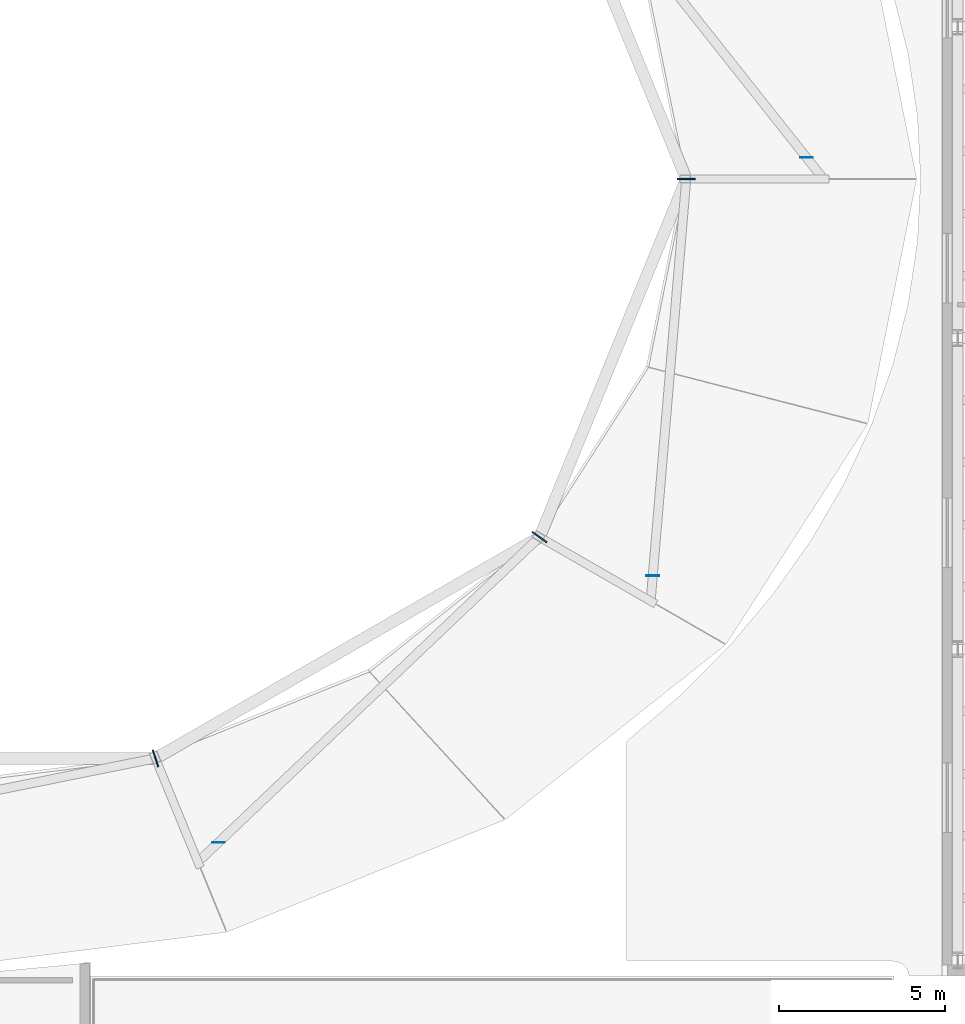
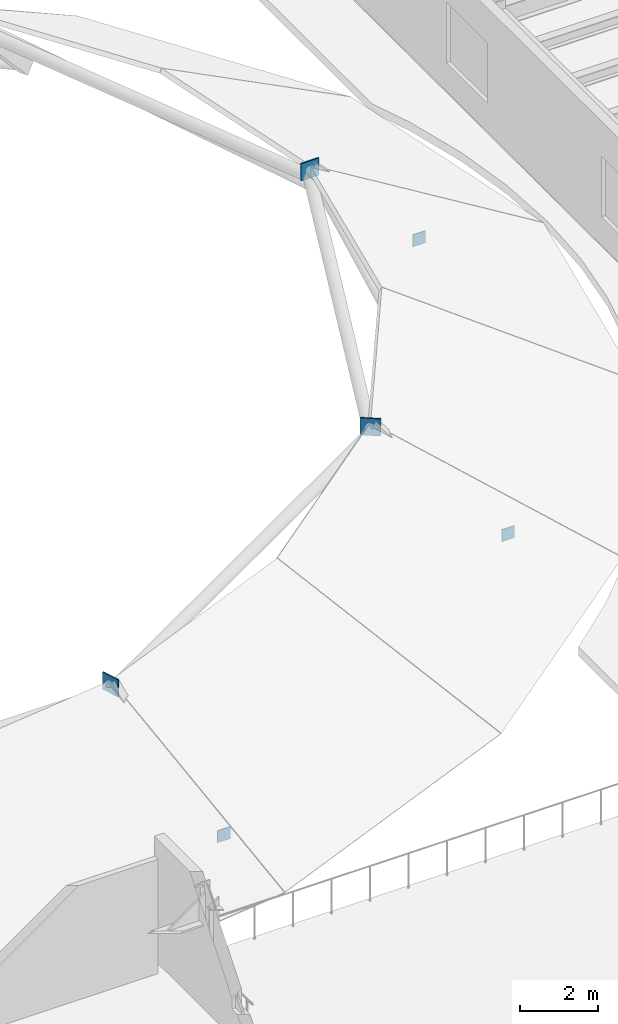
# One storey, part 31 of 59: 6 plates.
"""IFC4 building model written with IfcOpenShell, lengths in metres."""

from ifc_helpers import new_model, si_unit, direction, frame, origin, origin_2d, place, context, subcontext, project, spatial, rectangle, extrude, material, layer, layer_set, type_object, element, save


model = new_model("IFC4")

# Units and contexts
model_context = context("Model", 3, precision=1e-05, world=origin(), true_north=direction((0.0, 1.0)))
body_context = subcontext(model_context, "Body", "Model", "MODEL_VIEW")
ifc_project = project(units=[si_unit("LENGTHUNIT", "METRE"), si_unit("AREAUNIT", "SQUARE_METRE"), si_unit("VOLUMEUNIT", "CUBIC_METRE"), si_unit("PLANEANGLEUNIT", "RADIAN"), si_unit("MASSUNIT", "GRAM", prefix="KILO")], contexts=[model_context])

# Site, building, storey
site_placement = place(None, origin())
site = spatial("IfcSite", under=ifc_project, at=site_placement, CompositionType="ELEMENT")
building_placement = place(site_placement, origin())
building = spatial("IfcBuilding", under=site, at=building_placement, Name="Sollismere Congress Hotel", CompositionType="ELEMENT")
storey_placement = place(building_placement, frame((0.0, 0.0, 15.60009765625)))
storey = spatial("IfcBuildingStorey", under=building, at=storey_placement, Name="L03", CompositionType="ELEMENT", Elevation=15.60009765625)

# Plates
ifc_material = material(Name="Steel ASTM A572 Grade 50", Category="steel")
ifc_layer_1 = layer(ifc_material, 0.02490234375, Name="Steel ASTM A572 Grade 50")
ifc_layer_set_1 = layer_set([ifc_layer_1], Name="Steel ASTM A572 Grade 50")
plate_type_1 = type_object("IfcPlateType", Name="PL-GS25", PredefinedType="USERDEFINED", material=ifc_layer_set_1)
for number, where, z_axis, x_axis, name in (
    (1, (55.832275390625, 91.048828125, 0.075927734375), (0.0, 0.0, 1.0), (1.0, 0.0, 0.0), "PLT-GDB0-01"),
    (2, (38.06982421875, 70.361328125, 0.075927734375), (0.0, 0.0, 1.0), (1.0, 0.0, 0.0), "PLT-GDB0-09"),
    (3, (51.188720703125, 78.41650390625, 0.075927734375), (0.0, 0.0, 1.0), (1.0, 0.0, 0.0), "PLT-GDB0-10"),
):
    element("IfcPlate", number, at=place(storey_placement, frame(where, z_axis=z_axis, x_axis=x_axis)), inside=storey, type_object=plate_type_1, Name=name, ObjectType="GUSSET PLATE", PredefinedType="USERDEFINED", context=body_context, shape_type="SweptSolid", body=[
        extrude(rectangle(XDim=0.3798828125, YDim=0.02490234375, at=origin_2d()), origin(), (0.0, 0.0, 1.0), 0.3798828125),
    ])
ifc_layer_2 = layer(ifc_material, 0.0400390625, Name="Steel ASTM A572 Grade 50")
ifc_layer_set_2 = layer_set([ifc_layer_2], Name="Steel ASTM A572 Grade 50")
plate_type_2 = type_object("IfcPlateType", Name="PL-GS40", PredefinedType="USERDEFINED", material=ifc_layer_set_2)
for number, where, z_axis, x_axis, name in (
    (4, (52.199951171875, 90.39990234375, 3.849853515625), (0.0, 0.0, 1.0), (1.0, 0.0, 0.0), "Dome ring gusset plate 1-01"),
    (5, (36.169189453125, 72.900634765625, 3.849853515625), (0.0, 0.0, 1.0), (0.309016994375, -0.951056516295, 0.0), "Dome ring gusset plate 1-09"),
    (6, (47.769287109375, 79.584716796875, 3.849853515625), (0.0, 0.0, 1.0), (0.809016994375, -0.587785252292, 0.0), "Dome ring gusset plate 1-10"),
):
    element("IfcPlate", number, at=place(storey_placement, frame(where, z_axis=z_axis, x_axis=x_axis)), inside=storey, type_object=plate_type_2, Name=name, ObjectType="GUSSET PLATE", PredefinedType="USERDEFINED", context=body_context, shape_type="SweptSolid", body=[
        extrude(rectangle(XDim=0.5400390625, YDim=0.0400390625, at=origin_2d()), origin(), (0.0, 0.0, 1.0), 0.5400390625),
    ])

save(model, "model.ifc")
